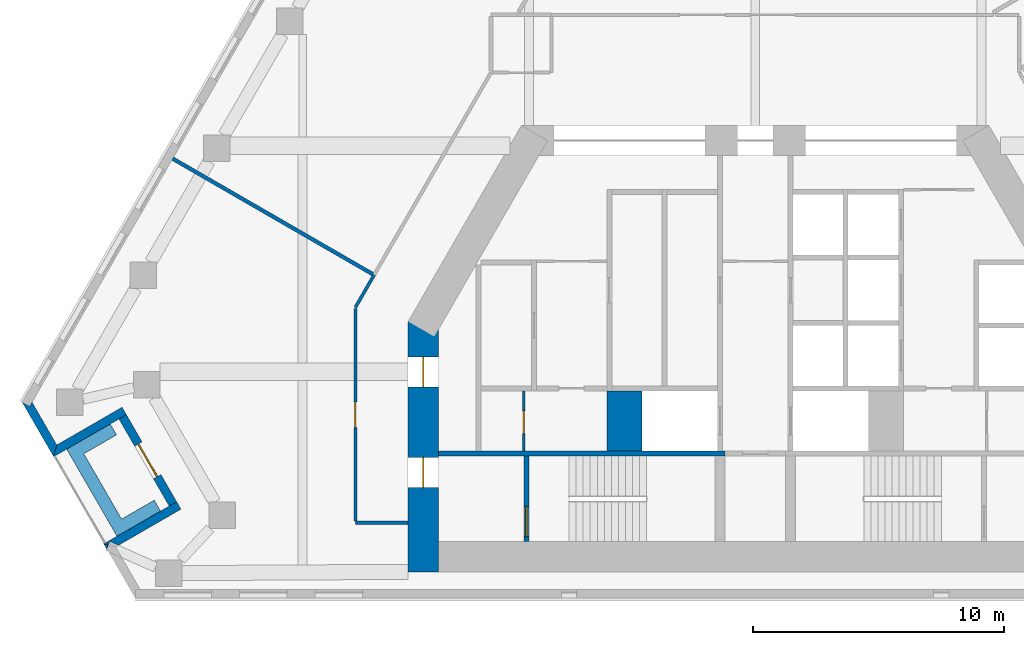
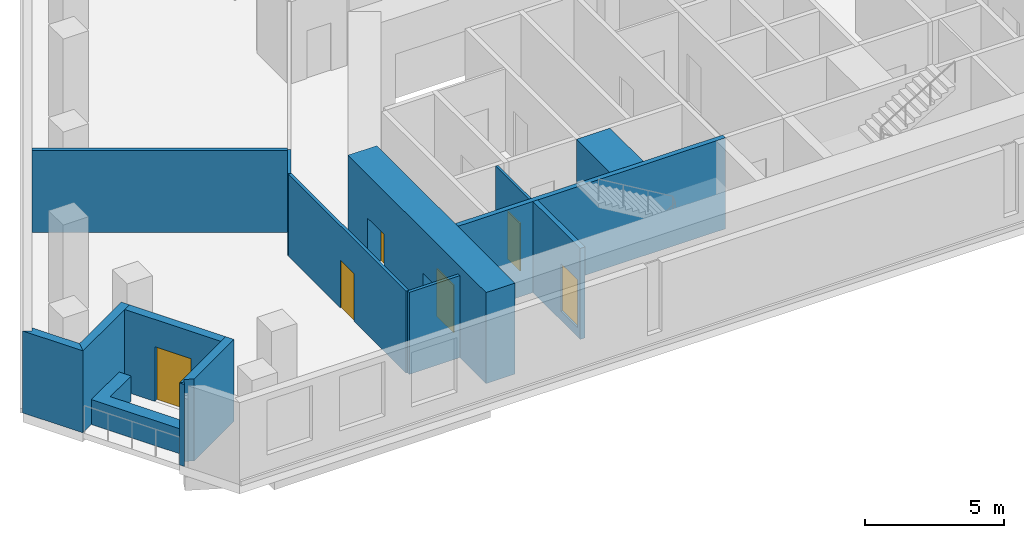
# One storey, part 3 of 9: 15 walls, 6 doors, 6 openings.
"""IFC4 building model written with IfcOpenShell, lengths in metres."""

from ifc_helpers import new_model, si_unit, direction, frame, frame_2d, origin, place, context, subcontext, project, spatial, polyline, rectangle, outline, extrude, material, layer, layer_set, type_object, element, fill, save


model = new_model("IFC4")

# Units and contexts
model_context = context("Model", 3, precision=1e-05, world=origin(), true_north=direction((0.0, 1.0)))
body_context = subcontext(model_context, "Body", "Model", "MODEL_VIEW")
ifc_project = project(units=[si_unit("LENGTHUNIT", "METRE"), si_unit("AREAUNIT", "SQUARE_METRE"), si_unit("VOLUMEUNIT", "CUBIC_METRE"), si_unit("PLANEANGLEUNIT", "RADIAN"), si_unit("MASSUNIT", "GRAM", prefix="KILO")], contexts=[model_context])

# Site, building, storey
site_placement = place(None, origin())
site = spatial("IfcSite", under=ifc_project, at=site_placement, CompositionType="ELEMENT")
building_placement = place(site_placement, origin())
building = spatial("IfcBuilding", under=site, at=building_placement, Name="Fogline Exchange Tower", CompositionType="ELEMENT")
storey_placement = place(building_placement, frame((0.0, 0.0, 142.89990234375)))
storey = spatial("IfcBuildingStorey", under=building, at=storey_placement, Name="L31", CompositionType="ELEMENT", Elevation=142.89990234375)

# Wall, opening, door
ifc_material_1 = material(Name="Blockwork partition", Category="masonry")
ifc_layer_1 = layer(ifc_material_1, 0.10009765625)
ifc_layer_set_1 = layer_set([ifc_layer_1], Name="CW10")
wall_type_1 = type_object("IfcWallType", Name="CW10", PredefinedType="PARTITIONING", material=ifc_layer_set_1)
wall_1_placement = place(storey_placement, frame((-9.199951171875, 5.85009765625, 0.0), z_axis=(0.0, 0.0, 1.0), x_axis=(0.0, 1.0, 0.0)))
wall_1 = element("IfcWall", 1, at=wall_1_placement, inside=storey, type_object=wall_type_1, Name="WC partition", PredefinedType="PARTITIONING", context=body_context, shape_type="SweptSolid", body=[
    extrude(rectangle(XDim=2.39990234375, YDim=0.10009765625, at=frame_2d((1.199951171875, 0.0))), origin(), (0.0, 0.0, 1.0), 3.60009765625),
])
opening_1_placement = place(wall_1_placement, frame((0.699951171875, 0.0, 0.0)))
opening_1 = element("IfcOpeningElement", 2, at=opening_1_placement, cuts=wall_1, Name="Opening T10-C008", PredefinedType="OPENING", context=body_context, shape_type="SweptSolid", body=[
    extrude(rectangle(XDim=0.89990234375, YDim=2.10009765625, at=frame_2d((0.449951171875, 1.050048828125))), frame((0.0, 0.06005859375, 0.0), z_axis=(0.0, -1.0, 0.0), x_axis=(1.0, 0.0, 0.0)), (0.0, 0.0, 1.0), 0.1201171875),
])
ifc_material_2 = material(Name="Steel and timber fire door", Category="steel")
door_type_1 = type_object("IfcDoorType", Name="D-CS1", OperationType="SINGLE_SWING_RIGHT", PredefinedType="DOOR", material=ifc_material_2)
door_1_placement = place(opening_1_placement, origin())
door_1 = element("IfcDoor", 3, at=door_1_placement, inside=storey, type_object=door_type_1, Name="Door to Cleaner's Store", OperationType="SINGLE_SWING_LEFT", OverallHeight=2.10009765625, OverallWidth=0.89990234375, PredefinedType="DOOR", context=body_context, shape_type="SweptSolid", body=[
    extrude(rectangle(XDim=0.89990234375, YDim=2.10009765625, at=frame_2d((0.449951171875, 1.050048828125))), frame((0.0, 0.02490234375, 0.0), z_axis=(0.0, -1.0, 0.0), x_axis=(1.0, 0.0, 0.0)), (0.0, 0.0, 1.0), 0.050048828125),
])
fill(opening_1, door_1)

# Walls
ifc_material_3 = material(Name="Concrete C60", Category="concrete")
ifc_layer_2 = layer(ifc_material_3, 1.39990234375)
ifc_layer_set_2 = layer_set([ifc_layer_2], Name="CW140")
wall_type_2 = type_object("IfcWallType", Name="CW140", PredefinedType="SOLIDWALL", material=ifc_layer_set_2)
wall_2_placement = place(storey_placement, frame((-5.199951171875, 5.85009765625, -0.39990234375), z_axis=(0.0, 0.0, 1.0), x_axis=(0.0, 1.0, 0.0)))
element("IfcWall", 4, at=wall_2_placement, inside=storey, type_object=wall_type_2, Name="Lift shaft block wall", PredefinedType="SOLIDWALL", context=body_context, shape_type="SweptSolid", body=[
    extrude(rectangle(XDim=2.39990234375, YDim=1.39990234375, at=frame_2d((1.199951171875, 0.0))), origin(), (0.0, 0.0, 1.0), 4.0),
])
ifc_material_4 = material(Name="Concrete C40", Category="concrete")
ifc_layer_3 = layer(ifc_material_4, 0.199951171875)
ifc_layer_set_3 = layer_set([ifc_layer_3], Name="CW20R")
wall_type_3 = type_object("IfcWallType", Name="CW20R", PredefinedType="SOLIDWALL", material=ifc_layer_set_3)
wall_3_placement = place(storey_placement, frame((-12.60009765625, 5.75, -0.39990234375), z_axis=(0.0, 0.0, 1.0), x_axis=(1.0, 0.0, 0.0)))
element("IfcWall", 5, at=wall_3_placement, inside=storey, type_object=wall_type_3, Name="Stair enclosure wall", PredefinedType="SOLIDWALL", context=body_context, shape_type="SweptSolid", body=[
    extrude(rectangle(XDim=11.400146484375, YDim=0.199951171875, at=frame_2d((5.7001953125, 0.0))), origin(), (0.0, 0.0, 1.0), 4.0),
])

# Wall, opening, door
wall_4_placement = place(storey_placement, frame((-9.10009765625, 2.25, -0.39990234375), z_axis=(0.0, 0.0, 1.0), x_axis=(0.0, 1.0, 0.0)))
wall_4 = element("IfcWall", 6, at=wall_4_placement, inside=storey, type_object=wall_type_3, Name="Stair enclosure wall", PredefinedType="SOLIDWALL", context=body_context, shape_type="SweptSolid", body=[
    extrude(rectangle(XDim=3.39990234375, YDim=0.199951171875, at=frame_2d((1.699951171875, 0.0))), origin(), (0.0, 0.0, 1.0), 4.0),
])
opening_2_placement = place(wall_4_placement, frame((0.199951171875, 0.0, 0.39990234375)))
opening_2 = element("IfcOpeningElement", 7, at=opening_2_placement, cuts=wall_4, Name="Opening T10-C010", PredefinedType="OPENING", context=body_context, shape_type="SweptSolid", body=[
    extrude(rectangle(XDim=1.199951171875, YDim=2.10009765625, at=frame_2d((0.60009765625, 1.050048828125))), frame((0.0, 0.10986328125, 0.0), z_axis=(0.0, -1.0, 0.0), x_axis=(1.0, 0.0, 0.0)), (0.0, 0.0, 1.0), 0.219970703125),
])
door_type_2 = type_object("IfcDoorType", Name="D-ST1", OperationType="SINGLE_SWING_LEFT", PredefinedType="DOOR", material=ifc_material_2)
door_2_placement = place(opening_2_placement, frame((1.199951171875, 0.0, 0.0), z_axis=(0.0, 0.0, 1.0), x_axis=(-1.0, 0.0, 0.0)))
door_2 = element("IfcDoor", 8, at=door_2_placement, inside=storey, type_object=door_type_2, Name="Stair door ST1", OperationType="SINGLE_SWING_RIGHT", OverallHeight=2.10009765625, OverallWidth=1.199951171875, PredefinedType="DOOR", context=body_context, shape_type="SweptSolid", body=[
    extrude(rectangle(XDim=1.199951171875, YDim=2.10009765625, at=frame_2d((0.60009765625, 1.050048828125))), frame((0.0, 0.02490234375, 0.0), z_axis=(0.0, -1.0, 0.0), x_axis=(1.0, 0.0, 0.0)), (0.0, 0.0, 1.0), 0.050048828125),
])
fill(opening_2, door_2)

# Walls
ifc_material_5 = material(Name="Brick masonry", Category="masonry")
ifc_layer_4 = layer(ifc_material_5, 0.340087890625)
ifc_layer_set_4 = layer_set([ifc_layer_4], Name="FW1")
wall_type_4 = type_object("IfcWallType", Name="FW1", PredefinedType="SOLIDWALL", material=ifc_layer_set_4)
wall_5_placement = place(storey_placement, origin())
element("IfcWall", 9, at=wall_5_placement, inside=storey, type_object=wall_type_4, Name="Brick wall L31 SW-c1", PredefinedType="SOLIDWALL", context=body_context, shape_type="SweptSolid", body=[
    extrude(outline(polyline([(-27.8984375, 5.6279296875), (-29.149658203125, 7.794921875), (-29.149169921875, 7.79541015625), (-28.854248046875, 7.625), (-28.755859375, 7.79541015625), (-27.7734375, 6.09375), (-27.898193359375, 5.6279296875), (-27.8984375, 5.6279296875)])), origin(), (0.0, 0.0, 1.0), 3.60009765625),
])
wall_6_placement = place(storey_placement, origin())
element("IfcWall", 10, at=wall_6_placement, inside=storey, type_object=wall_type_4, Name="Brick wall L31 SW-s1", PredefinedType="SOLIDWALL", context=body_context, shape_type="SweptSolid", body=[
    extrude(outline(polyline([(-25.17578125, 7.594482421875), (-25.005126953125, 7.298828125), (-25.300048828125, 7.128662109375), (-27.899169921875, 5.628173828125), (-27.8994140625, 5.62841796875), (-27.774658203125, 6.093994140625), (-25.17578125, 7.594482421875)])), origin(), (0.0, 0.0, 1.0), 3.60009765625),
])

# Wall, opening, door
wall_7_placement = place(storey_placement, frame((-25.153076171875, 7.214111328125, 0.0), z_axis=(0.0, 0.0, 1.0), x_axis=(0.49999894854, -0.866026010844, 0.0)))
wall_7 = element("IfcWall", 11, at=wall_7_placement, inside=storey, type_object=wall_type_4, Name="Brick wall L31 SW-bk", PredefinedType="SOLIDWALL", context=body_context, shape_type="SweptSolid", body=[
    extrude(rectangle(XDim=4.0, YDim=0.340087890625, at=frame_2d((2.0, 0.0))), origin(), (0.0, 0.0, 1.0), 3.60009765625),
])
opening_3_placement = place(wall_7_placement, frame((1.25, 0.0, 0.0)))
opening_3 = element("IfcOpeningElement", 12, at=opening_3_placement, cuts=wall_7, Name="Opening T10-E021", PredefinedType="OPENING", context=body_context, shape_type="SweptSolid", body=[
    extrude(rectangle(XDim=1.5, YDim=2.39990234375, at=frame_2d((0.75, 1.199951171875))), frame((0.0, 0.18017578125, 0.0), z_axis=(0.0, -1.0, 0.0), x_axis=(1.0, 0.0, 0.0)), (0.0, 0.0, 1.0), 0.360107421875),
])
ifc_material_6 = material(Name="Aluminium and glass", Category="aluminium")
door_type_3 = type_object("IfcDoorType", Name="ED4", OperationType="SINGLE_SWING_LEFT", PredefinedType="DOOR", material=ifc_material_6)
door_3_placement = place(opening_3_placement, frame((1.5, 0.0, 0.0), z_axis=(0.0, 0.0, 1.0), x_axis=(-1.0, 0.0, 0.0)))
door_3 = element("IfcDoor", 13, at=door_3_placement, inside=storey, type_object=door_type_3, Name="Balcony door L31 SW", OperationType="DOUBLE_DOOR_SINGLE_SWING", OverallHeight=2.39990234375, OverallWidth=1.5, PredefinedType="DOOR", context=body_context, shape_type="SweptSolid", body=[
    extrude(rectangle(XDim=1.5, YDim=2.39990234375, at=frame_2d((0.75, 1.199951171875))), frame((0.0, 0.02490234375, 0.0), z_axis=(0.0, -1.0, 0.0), x_axis=(1.0, 0.0, 0.0)), (0.0, 0.0, 1.0), 0.050048828125),
])
fill(opening_3, door_3)

# Walls
wall_8_placement = place(storey_placement, origin())
element("IfcWall", 14, at=wall_8_placement, inside=storey, type_object=wall_type_4, Name="Brick wall L31 SW-s2", PredefinedType="SOLIDWALL", context=body_context, shape_type="SweptSolid", body=[
    extrude(outline(polyline([(-23.30078125, 3.66552734375), (-23.005859375, 3.8359375), (-22.835205078125, 3.540283203125), (-25.31640625, 2.10791015625), (-25.659423828125, 2.260986328125), (-25.723388671875, 2.11767578125), (-25.899658203125, 2.164794921875), (-25.899658203125, 2.1650390625), (-23.30078125, 3.66552734375)])), origin(), (0.0, 0.0, 1.0), 3.60009765625),
])
wall_9_placement = place(storey_placement, origin())
element("IfcWall", 15, at=wall_9_placement, inside=storey, type_object=wall_type_4, Name="Brick wall L31 SW-c2", PredefinedType="SOLIDWALL", context=body_context, shape_type="SweptSolid", body=[
    extrude(outline(polyline([(-25.8994140625, 2.165771484375), (-25.8994140625, 2.166015625), (-25.722900390625, 2.11865234375), (-25.7880859375, 1.972900390625), (-25.8994140625, 2.165771484375)])), origin(), (0.0, 0.0, 1.0), 3.60009765625),
])
ifc_material_7 = material(Name="Concrete C30", Category="concrete")
ifc_layer_5 = layer(ifc_material_7, 0.199951171875)
ifc_layer_set_5 = layer_set([ifc_layer_5], Name="PL1")
wall_type_5 = type_object("IfcWallType", Name="PL1", PredefinedType="USERDEFINED", material=ifc_layer_set_5)
wall_10_placement = place(storey_placement, origin())
element("IfcWall", 16, at=wall_10_placement, inside=storey, type_object=wall_type_5, Name="PLANTER balcony L31 SW", ObjectType="PLANTER", PredefinedType="USERDEFINED", context=body_context, shape_type="SweptSolid", body=[
    extrude(outline(polyline([(-23.896728515625, 3.898193359375), (-25.19580078125, 3.148193359375), (-26.69580078125, 5.74609375), (-25.396728515625, 6.49609375), (-25.646728515625, 6.92919921875), (-27.37890625, 5.92919921875), (-27.12890625, 5.49609375), (-25.37890625, 2.465087890625), (-24.94580078125, 2.715087890625), (-24.94580078125, 2.715087890625), (-23.646728515625, 3.465087890625), (-23.896728515625, 3.898193359375)])), origin(), (0.0, 0.0, 1.0), 1.10009765625),
])
ifc_material_8 = material(Name="Plasterboard corridor partition with mineral wool, 2 layers each side")
ifc_layer_6 = layer(ifc_material_8, 0.125)
ifc_layer_set_6 = layer_set([ifc_layer_6], Name="PW2")
wall_type_6 = type_object("IfcWallType", Name="PW2", PredefinedType="PARTITIONING", material=ifc_layer_set_6)
wall_11_placement = place(storey_placement, frame((-13.800048828125, 3.0, 0.0), z_axis=(0.0, 0.0, 1.0), x_axis=(-1.0, 0.0, 0.0)))
element("IfcWall", 17, at=wall_11_placement, inside=storey, type_object=wall_type_6, Name="wall-L31-W011", PredefinedType="PARTITIONING", context=body_context, shape_type="SweptSolid", body=[
    extrude(rectangle(XDim=2.099853515625, YDim=0.125, at=frame_2d((1.0498046875, 0.0))), origin(), (0.0, 0.0, 1.0), 3.60009765625),
])

# Wall, opening, door
wall_12_placement = place(storey_placement, frame((-15.89990234375, 3.0625, 0.0), z_axis=(0.0, 0.0, 1.0), x_axis=(0.0, 1.0, 0.0)))
wall_12 = element("IfcWall", 18, at=wall_12_placement, inside=storey, type_object=wall_type_6, Name="wall-L31-W012", PredefinedType="PARTITIONING", context=body_context, shape_type="SweptSolid", body=[
    extrude(rectangle(XDim=8.46826171875, YDim=0.125, at=frame_2d((4.234130859375, 0.0))), origin(), (0.0, 0.0, 1.0), 3.60009765625),
])
opening_4_placement = place(wall_12_placement, frame((3.734130859375, 0.0, 0.0)))
opening_4 = element("IfcOpeningElement", 19, at=opening_4_placement, cuts=wall_12, Name="Opening T10-D005", PredefinedType="OPENING", context=body_context, shape_type="SweptSolid", body=[
    extrude(rectangle(XDim=1.0, YDim=2.10009765625, at=frame_2d((0.5, 1.050048828125))), frame((0.0, 0.072509765625, 0.0), z_axis=(0.0, -1.0, 0.0), x_axis=(1.0, 0.0, 0.0)), (0.0, 0.0, 1.0), 0.14501953125),
])
ifc_material_9 = material(Name="Fire-rated timber door leaf with steel frame", Category="steel")
door_type_4 = type_object("IfcDoorType", Name="D3", OperationType="SINGLE_SWING_LEFT", PredefinedType="DOOR", material=ifc_material_9)
door_4_placement = place(opening_4_placement, origin())
door_4 = element("IfcDoor", 20, at=door_4_placement, inside=storey, type_object=door_type_4, Name="door-L31-D005", OperationType="SINGLE_SWING_LEFT", OverallHeight=2.10009765625, OverallWidth=1.0, PredefinedType="DOOR", context=body_context, shape_type="SweptSolid", body=[
    extrude(rectangle(XDim=1.0, YDim=2.10009765625, at=frame_2d((0.5, 1.050048828125))), frame((0.0, 0.02490234375, 0.0), z_axis=(0.0, -1.0, 0.0), x_axis=(1.0, 0.0, 0.0)), (0.0, 0.0, 1.0), 0.050048828125),
])
fill(opening_4, door_4)

# Walls
wall_13_placement = place(storey_placement, frame((-15.89990234375, 11.561767578125, 0.0), z_axis=(0.0, 0.0, 1.0), x_axis=(0.499986386223, 0.866033263559, 0.0)))
element("IfcWall", 21, at=wall_13_placement, inside=storey, type_object=wall_type_6, Name="wall-L31-W013", PredefinedType="PARTITIONING", context=body_context, shape_type="SweptSolid", body=[
    extrude(rectangle(XDim=1.49462890625, YDim=0.125, at=frame_2d((0.747314453125, 0.0))), origin(), (0.0, 0.0, 1.0), 3.60009765625),
])
ifc_material_10 = material(Name="Plasterboard demising partition with mineral wool and acoustic board")
ifc_layer_7 = layer(ifc_material_10, 0.14990234375)
ifc_layer_set_7 = layer_set([ifc_layer_7], Name="PW3")
wall_type_7 = type_object("IfcWallType", Name="PW3", PredefinedType="PARTITIONING", material=ifc_layer_set_7)
wall_14_placement = place(storey_placement, frame((-15.206787109375, 12.887451171875, 0.0), z_axis=(0.0, 0.0, 1.0), x_axis=(-0.866016979766, 0.500014590545, 0.0)))
element("IfcWall", 22, at=wall_14_placement, inside=storey, type_object=wall_type_7, Name="wall-L31-W042", PredefinedType="PARTITIONING", context=body_context, shape_type="SweptSolid", body=[
    extrude(rectangle(XDim=9.187255859375, YDim=0.14990234375, at=frame_2d((4.59375, 0.0))), origin(), (0.0, 0.0, 1.0), 3.60009765625),
])

# Wall, openings, doors
ifc_layer_8 = layer(ifc_material_3, 1.199951171875)
ifc_layer_set_8 = layer_set([ifc_layer_8], Name="SW02")
wall_type_8 = type_object("IfcWallType", Name="SW02", PredefinedType="SHEAR", material=ifc_layer_set_8)
wall_15_placement = place(storey_placement, frame((-13.199951171875, 10.9990234375, 0.0), z_axis=(0.0, 0.0, 1.0), x_axis=(0.0, -1.0, 0.0)))
wall_15 = element("IfcWall", 23, at=wall_15_placement, inside=storey, type_object=wall_type_8, Name="L31-W906", PredefinedType="SHEAR", context=body_context, shape_type="SweptSolid", body=[
    extrude(rectangle(XDim=9.948974609375, YDim=1.199951171875, at=frame_2d((4.974609375, 0.0))), origin(), (0.0, 0.0, 1.0), 4.0),
])
opening_5_placement = place(wall_15_placement, frame((5.39892578125, 0.0, 0.0)))
opening_5 = element("IfcOpeningElement", 24, at=opening_5_placement, cuts=wall_15, Name="Opening T10-C009", PredefinedType="OPENING", context=body_context, shape_type="SweptSolid", body=[
    extrude(rectangle(XDim=1.199951171875, YDim=2.10009765625, at=frame_2d((0.60009765625, 1.050048828125))), frame((0.0, 0.60986328125, 0.0), z_axis=(0.0, -1.0, 0.0), x_axis=(1.0, 0.0, 0.0)), (0.0, 0.0, 1.0), 1.219970703125),
])
opening_6_placement = place(wall_15_placement, frame((1.39892578125, 0.0, 0.0)))
opening_6 = element("IfcOpeningElement", 25, at=opening_6_placement, cuts=wall_15, Name="Opening T10-C011", PredefinedType="OPENING", context=body_context, shape_type="SweptSolid", body=[
    extrude(rectangle(XDim=1.199951171875, YDim=2.10009765625, at=frame_2d((0.60009765625, 1.050048828125))), frame((0.0, 0.60986328125, 0.0), z_axis=(0.0, -1.0, 0.0), x_axis=(1.0, 0.0, 0.0)), (0.0, 0.0, 1.0), 1.219970703125),
])
door_type_5 = type_object("IfcDoorType", Name="D-FR1", OperationType="SINGLE_SWING_RIGHT", PredefinedType="DOOR", material=ifc_material_2)
door_5_placement = place(opening_5_placement, origin())
door_5 = element("IfcDoor", 26, at=door_5_placement, inside=storey, type_object=door_type_5, Name="Front room door ST1", OperationType="SINGLE_SWING_LEFT", OverallHeight=2.10009765625, OverallWidth=1.199951171875, PredefinedType="DOOR", context=body_context, shape_type="SweptSolid", body=[
    extrude(rectangle(XDim=1.199951171875, YDim=2.10009765625, at=frame_2d((0.60009765625, 1.050048828125))), frame((0.0, 0.02490234375, 0.0), z_axis=(0.0, -1.0, 0.0), x_axis=(1.0, 0.0, 0.0)), (0.0, 0.0, 1.0), 0.050048828125),
])
fill(opening_5, door_5)
door_type_6 = type_object("IfcDoorType", Name="D-SV1", OperationType="SINGLE_SWING_LEFT", PredefinedType="DOOR", material=ifc_material_2)
door_6_placement = place(opening_6_placement, origin())
door_6 = element("IfcDoor", 27, at=door_6_placement, inside=storey, type_object=door_type_6, Name="Service door W", OperationType="SINGLE_SWING_LEFT", OverallHeight=2.10009765625, OverallWidth=1.199951171875, PredefinedType="DOOR", context=body_context, shape_type="SweptSolid", body=[
    extrude(rectangle(XDim=1.199951171875, YDim=2.10009765625, at=frame_2d((0.60009765625, 1.050048828125))), frame((0.0, 0.02490234375, 0.0), z_axis=(0.0, -1.0, 0.0), x_axis=(1.0, 0.0, 0.0)), (0.0, 0.0, 1.0), 0.050048828125),
])
fill(opening_6, door_6)

save(model, "model.ifc")
